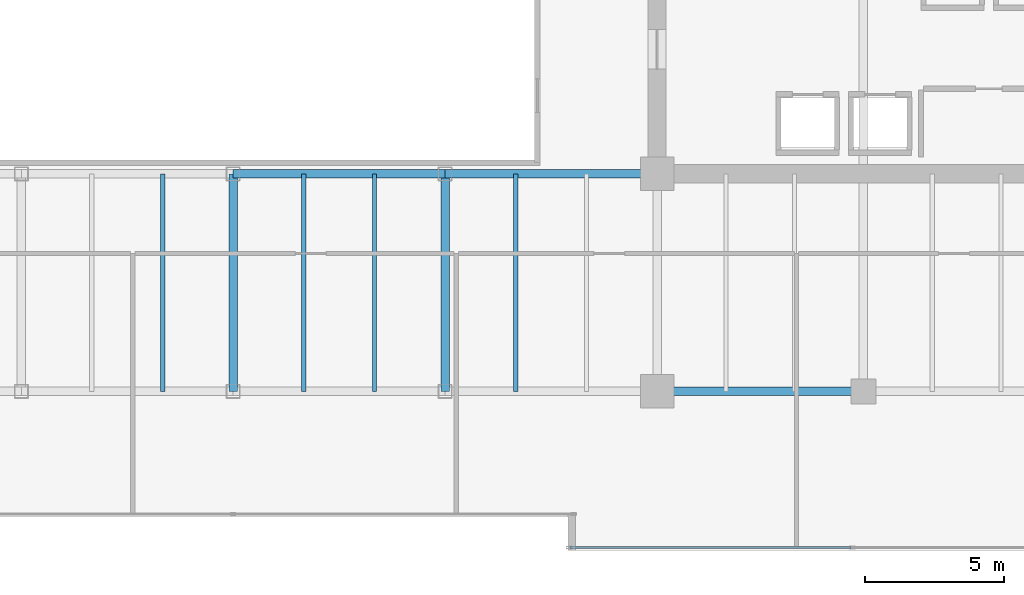
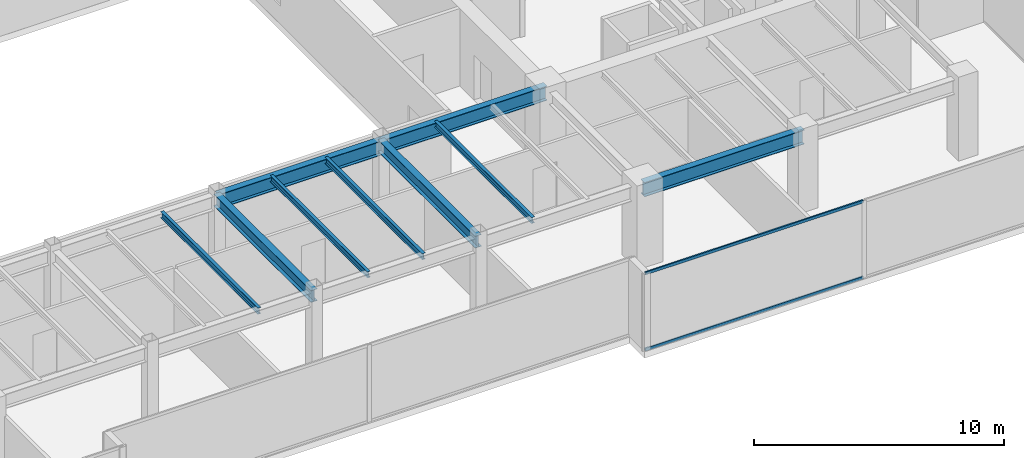
# One storey, part 11 of 30: 9 beams, 2 members, 1 element without a shape of its own.
"""IFC4 building model written with IfcOpenShell, lengths in metres."""

from ifc_helpers import new_model, si_unit, direction, frame, origin, origin_2d, place, context, subcontext, project, spatial, hollow_rectangle, i_section, extrude, source, transform, mapped, material, layer, layer_set, material_profile, profile_set, type_object, type_shapes, element, aggregate, save


model = new_model("IFC4")

# Units and contexts
model_context = context("Model", 3, precision=1e-05, world=origin(), true_north=direction((0.0, 1.0)))
body_context = subcontext(model_context, "Body", "Model", "MODEL_VIEW")
ifc_project = project(units=[si_unit("LENGTHUNIT", "METRE"), si_unit("AREAUNIT", "SQUARE_METRE"), si_unit("VOLUMEUNIT", "CUBIC_METRE"), si_unit("PLANEANGLEUNIT", "RADIAN"), si_unit("MASSUNIT", "GRAM", prefix="KILO")], contexts=[model_context])

# Site, building, storey
site_placement = place(None, origin())
site = spatial("IfcSite", under=ifc_project, at=site_placement, CompositionType="ELEMENT")
building_placement = place(site_placement, origin())
building = spatial("IfcBuilding", under=site, at=building_placement, Name="Haelvirn Gate Laboratories", CompositionType="ELEMENT")
storey_placement = place(building_placement, frame((0.0, 0.0, 162.5)))
storey = spatial("IfcBuildingStorey", under=building, at=storey_placement, Name="L39", CompositionType="ELEMENT", Elevation=162.5)

# Beams
ifc_material_1 = material(Name="Steel SM355", Category="steel")
ifc_material_profile_1 = material_profile(ifc_material_1, i_section(OverallWidth=0.300048828125, OverallDepth=0.699951171875, WebThickness=0.012939453125, FlangeThickness=0.02392578125, at=origin_2d()), Name="H-700x300x13x24")
ifc_profile_set_1 = profile_set([ifc_material_profile_1], Name="Steel SM355")
beam_type_1 = type_object("IfcBeamType", Name="BM-G-700", PredefinedType="BEAM", material=ifc_profile_set_1)
shared_shape_1 = source(origin(), body_context, "Body", "SweptSolid", [
    extrude(i_section(OverallWidth=0.300048828125, OverallDepth=0.699951171875, WebThickness=0.012939453125, FlangeThickness=0.02392578125, at=origin_2d()), origin(), (0.0, 0.0, 1.0), 7.39990234375),
])
beam_placement = place(storey_placement, frame((52.60009765625, 7.0, 3.43994140625), z_axis=(1.0, 0.0, 0.0), x_axis=(0.0, 1.0, 0.0)))
element("IfcBeam", 1, at=beam_placement, inside=storey, type_object=beam_type_1, Name="L39 Primary Girder Y7.0 (52.6-60.0)", PredefinedType="BEAM", context=body_context, shape_type="MappedRepresentation", body=[
    mapped(shared_shape_1, transform((0.0, 0.0, 0.0), scale=1.0)),
])
shared_shape_2 = source(origin(), body_context, "Body", "SweptSolid", [
    extrude(i_section(OverallWidth=0.300048828125, OverallDepth=0.699951171875, WebThickness=0.012939453125, FlangeThickness=0.02392578125, at=origin_2d()), origin(), (0.0, 0.0, 1.0), 7.60009765625),
])
type_shapes(beam_type_1, [shared_shape_1, shared_shape_2])
for number, where, z_axis, x_axis, name in (
    (2, (37.39990234375, 14.800048828125, 3.43994140625), (1.0, 0.0, 0.0), (0.0, 1.0, 0.0), "L39 Primary Girder Y14.8 (37.4-45.0)"),
    (3, (45.0, 14.800048828125, 3.43994140625), (1.0, 0.0, 0.0), (0.0, 1.0, 0.0), "L39 Primary Girder Y14.8 (45.0-52.6)"),
):
    element("IfcBeam", number, at=place(storey_placement, frame(where, z_axis=z_axis, x_axis=x_axis)), inside=storey, type_object=beam_type_1, Name=name, PredefinedType="BEAM", context=body_context, shape_type="MappedRepresentation", body=[
        mapped(shared_shape_2, transform((0.0, 0.0, 0.0), scale=1.0)),
    ])
ifc_material_profile_2 = material_profile(ifc_material_1, i_section(OverallWidth=0.14990234375, OverallDepth=0.300048828125, WebThickness=0.006591796875, FlangeThickness=0.009033203125, at=origin_2d()), Name="H-300x150x6.5x9")
ifc_profile_set_2 = profile_set([ifc_material_profile_2], Name="Steel SM355")
beam_type_2 = type_object("IfcBeamType", Name="BM-J-300", PredefinedType="JOIST", material=ifc_profile_set_2)
shared_shape_3 = source(origin(), body_context, "Body", "SweptSolid", [
    extrude(i_section(OverallWidth=0.14990234375, OverallDepth=0.300048828125, WebThickness=0.006591796875, FlangeThickness=0.009033203125, at=origin_2d()), origin(), (0.0, 0.0, 1.0), 7.800048828125),
])
type_shapes(beam_type_2, [shared_shape_3])
for number, where, z_axis, x_axis, name in (
    (4, (34.8701171875, 7.0, 3.639892578125), (0.0, 1.0, 0.0), (-1.0, 0.0, 0.0), "L39 Composite Lab Joist South X34.87"),
    (5, (39.929931640625, 7.0, 3.639892578125), (0.0, 1.0, 0.0), (-1.0, 0.0, 0.0), "L39 Composite Lab Joist South X39.93"),
    (6, (42.469970703125, 7.0, 3.639892578125), (0.0, 1.0, 0.0), (-1.0, 0.0, 0.0), "L39 Composite Lab Joist South X42.47"),
    (7, (47.530029296875, 7.0, 3.639892578125), (0.0, 1.0, 0.0), (-1.0, 0.0, 0.0), "L39 Composite Lab Joist South X47.53"),
):
    element("IfcBeam", number, at=place(storey_placement, frame(where, z_axis=z_axis, x_axis=x_axis)), inside=storey, type_object=beam_type_2, Name=name, PredefinedType="JOIST", context=body_context, shape_type="MappedRepresentation", body=[
        mapped(shared_shape_3, transform((0.0, 0.0, 0.0), scale=1.0)),
    ])
ifc_material_profile_3 = material_profile(ifc_material_1, i_section(OverallWidth=0.300048828125, OverallDepth=0.587890625, WebThickness=0.011962890625, FlangeThickness=0.02001953125, at=origin_2d()), Name="H-588x300x12x20")
ifc_profile_set_3 = profile_set([ifc_material_profile_3], Name="Steel SM355")
beam_type_3 = type_object("IfcBeamType", Name="BM-G-588", PredefinedType="BEAM", material=ifc_profile_set_3)
shared_shape_4 = source(origin(), body_context, "Body", "SweptSolid", [
    extrude(i_section(OverallWidth=0.300048828125, OverallDepth=0.587890625, WebThickness=0.011962890625, FlangeThickness=0.02001953125, at=origin_2d()), origin(), (0.0, 0.0, 1.0), 7.800048828125),
])
type_shapes(beam_type_3, [shared_shape_4])
for number, where, z_axis, x_axis, name in (
    (8, (37.39990234375, 7.0, 3.49609375), (0.0, 1.0, 0.0), (-1.0, 0.0, 0.0), "L39 Frame Girder X37.4 (7.0-14.8)"),
    (9, (45.0, 7.0, 3.49609375), (0.0, 1.0, 0.0), (-1.0, 0.0, 0.0), "L39 Frame Girder X45.0 (7.0-14.8)"),
):
    element("IfcBeam", number, at=place(storey_placement, frame(where, z_axis=z_axis, x_axis=x_axis)), inside=storey, type_object=beam_type_3, Name=name, PredefinedType="BEAM", context=body_context, shape_type="MappedRepresentation", body=[
        mapped(shared_shape_4, transform((0.0, 0.0, 0.0), scale=1.0)),
    ])

# Curtain wall, members
ifc_material_2 = material(Name="Anodised bronze unitised aluminium & triple low-E glass", Category="aluminium")
ifc_layer = layer(ifc_material_2, 0.179931640625, Name="CW-SYS-3")
ifc_layer_set = layer_set([ifc_layer], Name="Anodised bronze unitised aluminium & triple low-E glass")
curtain_wall_type = type_object("IfcCurtainWallType", Name="CW-SYS-3", PredefinedType="NOTDEFINED", material=ifc_layer_set)
curtain_wall_placement = place(storey_placement, origin())
curtain_wall = element("IfcCurtainWall", 10, at=curtain_wall_placement, inside=storey, type_object=curtain_wall_type, Name="L39 Unitised Curtain Wall CW-L39-P0-E04-1", PredefinedType="NOTDEFINED")
ifc_material_3 = material(Name="Extruded aluminium 6063-T6 (anodised bronze)", Category="aluminium")
ifc_material_profile_4 = material_profile(ifc_material_3, hollow_rectangle(XDim=0.06494140625, YDim=0.139892578125, WallThickness=0.00390625, at=origin_2d()), Name="CWT-140x65x4")
ifc_profile_set_4 = profile_set([ifc_material_profile_4], Name="Extruded aluminium 6063-T6 (anodised bronze)")
member_type = type_object("IfcMemberType", Name="CWT-T140", PredefinedType="USERDEFINED", material=ifc_profile_set_4)
shared_shape_5 = source(origin(), body_context, "Body", "SweptSolid", [
    extrude(hollow_rectangle(XDim=0.06494140625, YDim=0.139892578125, WallThickness=0.00390625, at=origin_2d()), origin(), (0.0, 0.0, 1.0), 10.08740234375),
])
type_shapes(member_type, [shared_shape_5])
member_1_placement = place(storey_placement, frame((49.47509765625, 1.39990234375, 0.032470703125), z_axis=(1.0, 0.0, 0.0), x_axis=(0.0, 1.0, 0.0)))
member_1 = element("IfcMember", 11, at=member_1_placement, type_object=member_type, Name="CW3 transom 1.1", ObjectType="TRANSOM", PredefinedType="USERDEFINED", context=body_context, shape_type="MappedRepresentation", body=[
    mapped(shared_shape_5, transform((0.0, 0.0, 0.0), scale=1.0)),
])
member_2_placement = place(storey_placement, frame((49.47509765625, 1.39990234375, 3.757568359375), z_axis=(1.0, 0.0, 0.0), x_axis=(0.0, 1.0, 0.0)))
member_2 = element("IfcMember", 12, at=member_2_placement, type_object=member_type, Name="CW3 transom 1.2", ObjectType="TRANSOM", PredefinedType="USERDEFINED", context=body_context, shape_type="MappedRepresentation", body=[
    mapped(shared_shape_5, transform((0.0, 0.0, 0.0), scale=1.0)),
])
aggregate(curtain_wall, [member_1, member_2])

save(model, "model.ifc")
